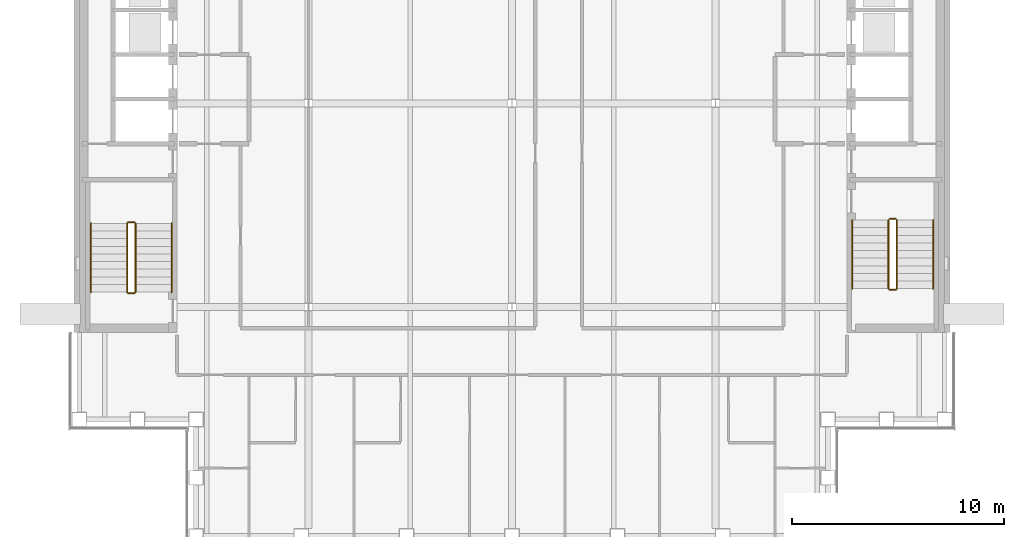
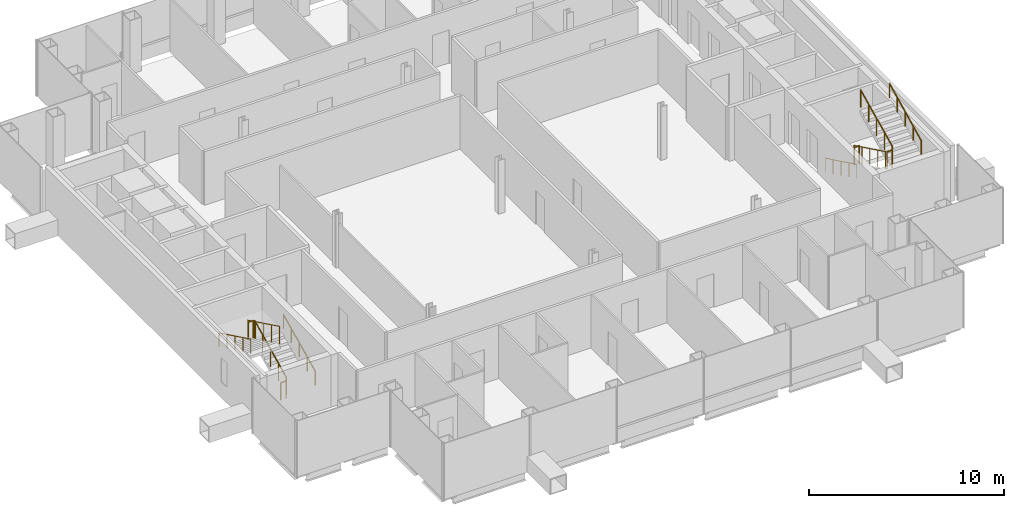
# One storey, part 13 of 14: 12 railings.
"""IFC4 building model written with IfcOpenShell, lengths in metres."""

from ifc_helpers import new_model, si_unit, direction, frame, origin, origin_2d, place, context, subcontext, project, spatial, circle, extrude, material, type_object, element, save


model = new_model("IFC4")

# Units and contexts
model_context = context("Model", 3, precision=1e-05, world=origin(), true_north=direction((0.0, 1.0)))
body_context = subcontext(model_context, "Body", "Model", "MODEL_VIEW")
ifc_project = project(units=[si_unit("LENGTHUNIT", "METRE"), si_unit("AREAUNIT", "SQUARE_METRE"), si_unit("VOLUMEUNIT", "CUBIC_METRE"), si_unit("PLANEANGLEUNIT", "RADIAN"), si_unit("MASSUNIT", "GRAM", prefix="KILO")], contexts=[model_context])

# Site, building, storey
site_placement = place(None, origin())
site = spatial("IfcSite", under=ifc_project, at=site_placement, CompositionType="ELEMENT")
building_placement = place(site_placement, origin())
building = spatial("IfcBuilding", under=site, at=building_placement, Name="Cobrizo Arcos Hotel Tower", CompositionType="ELEMENT")
storey_placement = place(building_placement, frame((0.0, 0.0, 208.5)))
storey = spatial("IfcBuildingStorey", under=building, at=storey_placement, Name="L54", CompositionType="ELEMENT", Elevation=208.5)

# Railings
ifc_material = material(Name="Stainless steel railing", Category="steel")
railing_type_1 = type_object("IfcRailingType", Name="Stair guard 1100", PredefinedType="GUARDRAIL", material=ifc_material)
railing_1_placement = place(storey_placement, frame((-17.75, -8.89990234375, 0.175048828125)))
element("IfcRailing", 1, at=railing_1_placement, inside=storey, type_object=railing_type_1, Name="L54 ST-W stair guard 1", PredefinedType="GUARDRAIL", context=body_context, shape_type="SweptSolid", body=[
    extrude(circle(Radius=0.02392578125, at=origin_2d()), frame((0.0, 0.0, 1.076171875), z_axis=(0.0, 0.899372665325, 0.437182809435), x_axis=(-1.0, 0.0, 0.0)), (0.0, 0.0, 1.0), 3.6025390625),
    extrude(circle(Radius=0.02099609375, at=origin_2d()), origin(), (0.0, 0.0, 1.0), 1.052001953125),
    extrude(circle(Radius=0.02099609375, at=origin_2d()), frame((0.0, 0.81005859375, 0.393798828125)), (0.0, 0.0, 1.0), 1.052001953125),
    extrude(circle(Radius=0.02099609375, at=origin_2d()), frame((0.0, 1.6201171875, 0.78759765625)), (0.0, 0.0, 1.0), 1.052001953125),
    extrude(circle(Radius=0.02099609375, at=origin_2d()), frame((0.0, 2.429931640625, 1.18115234375)), (0.0, 0.0, 1.0), 1.052001953125),
    extrude(circle(Radius=0.02099609375, at=origin_2d()), frame((0.0, 3.239990234375, 1.574951171875)), (0.0, 0.0, 1.0), 1.052001953125),
])
railing_2_placement = place(storey_placement, frame((-17.800048828125, -5.610107421875, 1.75)))
element("IfcRailing", 2, at=railing_2_placement, inside=storey, type_object=railing_type_1, Name="L54 ST-W stair guard 2", PredefinedType="GUARDRAIL", context=body_context, shape_type="SweptSolid", body=[
    extrude(circle(Radius=0.02392578125, at=origin_2d()), frame((0.0, 0.0, 1.076171875), z_axis=(-1.0, 0.0, 0.0), x_axis=(0.0, -1.0, 0.0)), (0.0, 0.0, 1.0), 0.300048828125),
    extrude(circle(Radius=0.02099609375, at=origin_2d()), origin(), (0.0, 0.0, 1.0), 1.052001953125),
    extrude(circle(Radius=0.02099609375, at=origin_2d()), frame((-0.300048828125, 0.0, 0.0)), (0.0, 0.0, 1.0), 1.052001953125),
])
railing_3_placement = place(storey_placement, frame((-18.14990234375, -5.659912109375, 1.925048828125)))
element("IfcRailing", 3, at=railing_3_placement, inside=storey, type_object=railing_type_1, Name="L54 ST-W stair guard 3", PredefinedType="GUARDRAIL", context=body_context, shape_type="SweptSolid", body=[
    extrude(circle(Radius=0.02392578125, at=origin_2d()), frame((0.0, 0.0, 1.076171875), z_axis=(0.0, -0.899372665325, 0.437182809435), x_axis=(1.0, 0.0, 0.0)), (0.0, 0.0, 1.0), 3.6025390625),
    extrude(circle(Radius=0.02099609375, at=origin_2d()), origin(), (0.0, 0.0, 1.0), 1.052001953125),
    extrude(circle(Radius=0.02099609375, at=origin_2d()), frame((0.0, -0.81005859375, 0.393798828125)), (0.0, 0.0, 1.0), 1.052001953125),
    extrude(circle(Radius=0.02099609375, at=origin_2d()), frame((0.0, -1.6201171875, 0.78759765625)), (0.0, 0.0, 1.0), 1.052001953125),
    extrude(circle(Radius=0.02099609375, at=origin_2d()), frame((0.0, -2.429931640625, 1.18115234375)), (0.0, 0.0, 1.0), 1.052001953125),
    extrude(circle(Radius=0.02099609375, at=origin_2d()), frame((0.0, -3.239990234375, 1.574951171875)), (0.0, 0.0, 1.0), 1.052001953125),
])
railing_4_placement = place(storey_placement, frame((-17.800048828125, -8.949951171875, 0.0)))
element("IfcRailing", 4, at=railing_4_placement, inside=storey, type_object=railing_type_1, Name="L54 ST-W stair guard 4", PredefinedType="GUARDRAIL", context=body_context, shape_type="SweptSolid", body=[
    extrude(circle(Radius=0.02392578125, at=origin_2d()), frame((0.0, 0.0, 1.076171875), z_axis=(-1.0, 0.0, 0.0), x_axis=(0.0, -1.0, 0.0)), (0.0, 0.0, 1.0), 0.300048828125),
    extrude(circle(Radius=0.02099609375, at=origin_2d()), origin(), (0.0, 0.0, 1.0), 1.052001953125),
    extrude(circle(Radius=0.02099609375, at=origin_2d()), frame((-0.300048828125, 0.0, 0.0)), (0.0, 0.0, 1.0), 1.052001953125),
])
railing_5_placement = place(storey_placement, frame((17.75, -5.5, 0.175048828125)))
element("IfcRailing", 5, at=railing_5_placement, inside=storey, type_object=railing_type_1, Name="L54 ST-E stair guard 1", PredefinedType="GUARDRAIL", context=body_context, shape_type="SweptSolid", body=[
    extrude(circle(Radius=0.02392578125, at=origin_2d()), frame((0.0, 0.0, 1.076171875), z_axis=(0.0, -0.899372665325, 0.437182809435), x_axis=(1.0, 0.0, 0.0)), (0.0, 0.0, 1.0), 3.6025390625),
    extrude(circle(Radius=0.02099609375, at=origin_2d()), origin(), (0.0, 0.0, 1.0), 1.052001953125),
    extrude(circle(Radius=0.02099609375, at=origin_2d()), frame((0.0, -0.81005859375, 0.393798828125)), (0.0, 0.0, 1.0), 1.052001953125),
    extrude(circle(Radius=0.02099609375, at=origin_2d()), frame((0.0, -1.6201171875, 0.78759765625)), (0.0, 0.0, 1.0), 1.052001953125),
    extrude(circle(Radius=0.02099609375, at=origin_2d()), frame((0.0, -2.429931640625, 1.18115234375)), (0.0, 0.0, 1.0), 1.052001953125),
    extrude(circle(Radius=0.02099609375, at=origin_2d()), frame((0.0, -3.239990234375, 1.574951171875)), (0.0, 0.0, 1.0), 1.052001953125),
])
railing_6_placement = place(storey_placement, frame((17.800048828125, -8.7900390625, 1.75)))
element("IfcRailing", 6, at=railing_6_placement, inside=storey, type_object=railing_type_1, Name="L54 ST-E stair guard 2", PredefinedType="GUARDRAIL", context=body_context, shape_type="SweptSolid", body=[
    extrude(circle(Radius=0.02392578125, at=origin_2d()), frame((0.0, 0.0, 1.076171875), z_axis=(1.0, 0.0, 0.0), x_axis=(0.0, 1.0, 0.0)), (0.0, 0.0, 1.0), 0.300048828125),
    extrude(circle(Radius=0.02099609375, at=origin_2d()), origin(), (0.0, 0.0, 1.0), 1.052001953125),
    extrude(circle(Radius=0.02099609375, at=origin_2d()), frame((0.300048828125, 0.0, 0.0)), (0.0, 0.0, 1.0), 1.052001953125),
])
railing_7_placement = place(storey_placement, frame((18.14990234375, -8.739990234375, 1.925048828125)))
element("IfcRailing", 7, at=railing_7_placement, inside=storey, type_object=railing_type_1, Name="L54 ST-E stair guard 3", PredefinedType="GUARDRAIL", context=body_context, shape_type="SweptSolid", body=[
    extrude(circle(Radius=0.02392578125, at=origin_2d()), frame((0.0, 0.0, 1.076171875), z_axis=(0.0, 0.899372665325, 0.437182809435), x_axis=(-1.0, 0.0, 0.0)), (0.0, 0.0, 1.0), 3.6025390625),
    extrude(circle(Radius=0.02099609375, at=origin_2d()), origin(), (0.0, 0.0, 1.0), 1.052001953125),
    extrude(circle(Radius=0.02099609375, at=origin_2d()), frame((0.0, 0.81005859375, 0.393798828125)), (0.0, 0.0, 1.0), 1.052001953125),
    extrude(circle(Radius=0.02099609375, at=origin_2d()), frame((0.0, 1.6201171875, 0.78759765625)), (0.0, 0.0, 1.0), 1.052001953125),
    extrude(circle(Radius=0.02099609375, at=origin_2d()), frame((0.0, 2.429931640625, 1.18115234375)), (0.0, 0.0, 1.0), 1.052001953125),
    extrude(circle(Radius=0.02099609375, at=origin_2d()), frame((0.0, 3.239990234375, 1.574951171875)), (0.0, 0.0, 1.0), 1.052001953125),
])
railing_8_placement = place(storey_placement, frame((17.800048828125, -5.449951171875, 0.0)))
element("IfcRailing", 8, at=railing_8_placement, inside=storey, type_object=railing_type_1, Name="L54 ST-E stair guard 4", PredefinedType="GUARDRAIL", context=body_context, shape_type="SweptSolid", body=[
    extrude(circle(Radius=0.02392578125, at=origin_2d()), frame((0.0, 0.0, 1.076171875), z_axis=(1.0, 0.0, 0.0), x_axis=(0.0, 1.0, 0.0)), (0.0, 0.0, 1.0), 0.300048828125),
    extrude(circle(Radius=0.02099609375, at=origin_2d()), origin(), (0.0, 0.0, 1.0), 1.052001953125),
    extrude(circle(Radius=0.02099609375, at=origin_2d()), frame((0.300048828125, 0.0, 0.0)), (0.0, 0.0, 1.0), 1.052001953125),
])
railing_type_2 = type_object("IfcRailingType", Name="Stair handrail", PredefinedType="HANDRAIL", material=ifc_material)
railing_9_placement = place(storey_placement, frame((-16.050048828125, -8.89990234375, 0.175048828125)))
element("IfcRailing", 9, at=railing_9_placement, inside=storey, type_object=railing_type_2, Name="L54 ST-W stair handrail 1", PredefinedType="HANDRAIL", context=body_context, shape_type="SweptSolid", body=[
    extrude(circle(Radius=0.02392578125, at=origin_2d()), frame((0.0, 0.0, 0.8759765625), z_axis=(0.0, 0.899372665325, 0.437182809435), x_axis=(-1.0, 0.0, 0.0)), (0.0, 0.0, 1.0), 3.6025390625),
    extrude(circle(Radius=0.02099609375, at=origin_2d()), origin(), (0.0, 0.0, 1.0), 0.851806640625),
    extrude(circle(Radius=0.02099609375, at=origin_2d()), frame((0.0, 0.81005859375, 0.393798828125)), (0.0, 0.0, 1.0), 0.851806640625),
    extrude(circle(Radius=0.02099609375, at=origin_2d()), frame((0.0, 1.6201171875, 0.78759765625)), (0.0, 0.0, 1.0), 0.851806640625),
    extrude(circle(Radius=0.02099609375, at=origin_2d()), frame((0.0, 2.429931640625, 1.18115234375)), (0.0, 0.0, 1.0), 0.851806640625),
    extrude(circle(Radius=0.02099609375, at=origin_2d()), frame((0.0, 3.239990234375, 1.574951171875)), (0.0, 0.0, 1.0), 0.851806640625),
])
for number, where, name in (
    (10, (-19.85009765625, -5.659912109375, 1.925048828125), "L54 ST-W stair handrail 2"),
    (11, (16.050048828125, -5.5, 0.175048828125), "L54 ST-E stair handrail 1"),
):
    element("IfcRailing", number, at=place(storey_placement, frame(where)), inside=storey, type_object=railing_type_2, Name=name, PredefinedType="HANDRAIL", context=body_context, shape_type="SweptSolid", body=[
        extrude(circle(Radius=0.02392578125, at=origin_2d()), frame((0.0, 0.0, 0.8759765625), z_axis=(0.0, -0.899372665325, 0.437182809435), x_axis=(1.0, 0.0, 0.0)), (0.0, 0.0, 1.0), 3.6025390625),
        extrude(circle(Radius=0.02099609375, at=origin_2d()), origin(), (0.0, 0.0, 1.0), 0.851806640625),
        extrude(circle(Radius=0.02099609375, at=origin_2d()), frame((0.0, -0.81005859375, 0.393798828125)), (0.0, 0.0, 1.0), 0.851806640625),
        extrude(circle(Radius=0.02099609375, at=origin_2d()), frame((0.0, -1.6201171875, 0.78759765625)), (0.0, 0.0, 1.0), 0.851806640625),
        extrude(circle(Radius=0.02099609375, at=origin_2d()), frame((0.0, -2.429931640625, 1.18115234375)), (0.0, 0.0, 1.0), 0.851806640625),
        extrude(circle(Radius=0.02099609375, at=origin_2d()), frame((0.0, -3.239990234375, 1.574951171875)), (0.0, 0.0, 1.0), 0.851806640625),
    ])
railing_10_placement = place(storey_placement, frame((19.85009765625, -8.739990234375, 1.925048828125)))
element("IfcRailing", 12, at=railing_10_placement, inside=storey, type_object=railing_type_2, Name="L54 ST-E stair handrail 2", PredefinedType="HANDRAIL", context=body_context, shape_type="SweptSolid", body=[
    extrude(circle(Radius=0.02392578125, at=origin_2d()), frame((0.0, 0.0, 0.8759765625), z_axis=(0.0, 0.899372665325, 0.437182809435), x_axis=(-1.0, 0.0, 0.0)), (0.0, 0.0, 1.0), 3.6025390625),
    extrude(circle(Radius=0.02099609375, at=origin_2d()), origin(), (0.0, 0.0, 1.0), 0.851806640625),
    extrude(circle(Radius=0.02099609375, at=origin_2d()), frame((0.0, 0.81005859375, 0.393798828125)), (0.0, 0.0, 1.0), 0.851806640625),
    extrude(circle(Radius=0.02099609375, at=origin_2d()), frame((0.0, 1.6201171875, 0.78759765625)), (0.0, 0.0, 1.0), 0.851806640625),
    extrude(circle(Radius=0.02099609375, at=origin_2d()), frame((0.0, 2.429931640625, 1.18115234375)), (0.0, 0.0, 1.0), 0.851806640625),
    extrude(circle(Radius=0.02099609375, at=origin_2d()), frame((0.0, 3.239990234375, 1.574951171875)), (0.0, 0.0, 1.0), 0.851806640625),
])

save(model, "model.ifc")
